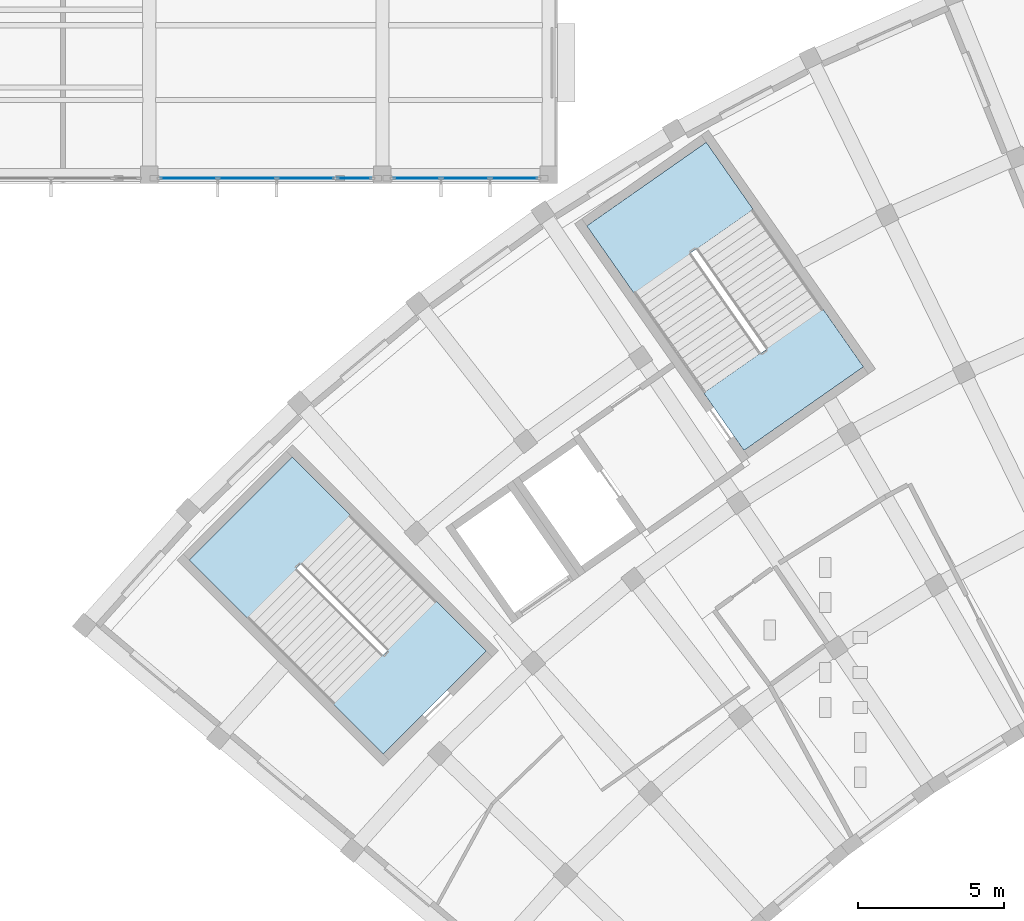
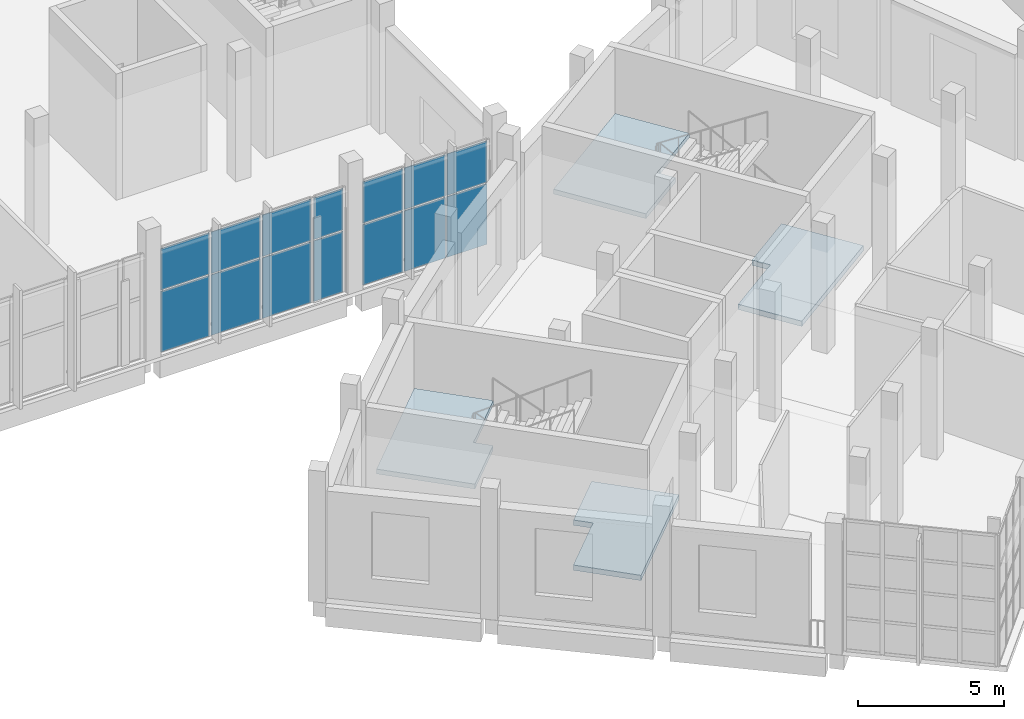
# One storey, part 61 of 132: 14 plates, 4 slabs, 5 elements without a shape of their own.
"""IFC4 building model written with IfcOpenShell, lengths in metres."""

from ifc_helpers import new_model, si_unit, direction, frame, origin, origin_2d, place, context, subcontext, project, spatial, polyline, rectangle, outline, extrude, material, layer, layer_set, type_object, element, aggregate, save


model = new_model("IFC4")

# Units and contexts
model_context = context("Model", 3, precision=1e-05, world=origin(), true_north=direction((0.0, 1.0)))
body_context = subcontext(model_context, "Body", "Model", "MODEL_VIEW")
ifc_project = project(units=[si_unit("LENGTHUNIT", "METRE"), si_unit("AREAUNIT", "SQUARE_METRE"), si_unit("VOLUMEUNIT", "CUBIC_METRE"), si_unit("PLANEANGLEUNIT", "RADIAN"), si_unit("MASSUNIT", "GRAM", prefix="KILO")], contexts=[model_context])

# Site, building, storey
site_placement = place(None, origin())
site = spatial("IfcSite", under=ifc_project, at=site_placement, CompositionType="ELEMENT")
building_placement = place(site_placement, origin())
building = spatial("IfcBuilding", under=site, at=building_placement, Name="Lunette Opera House", CompositionType="ELEMENT")
storey_placement = place(building_placement, frame((0.0, 0.0, 17.0)))
storey = spatial("IfcBuildingStorey", under=building, at=storey_placement, Name="L03", CompositionType="ELEMENT", Elevation=17.0)

# Slabs
ifc_material_1 = material(Name="Concrete C35/45", Category="concrete")
ifc_layer_1 = layer(ifc_material_1, 0.219970703125)
ifc_layer_set_1 = layer_set([ifc_layer_1], Name="Concrete C35/45")
slab_type_1 = type_object("IfcSlabType", Name="CORE LANDING SLAB 220", PredefinedType="LANDING", material=ifc_layer_set_1)
slab_1_placement = place(storey_placement, frame((0.0, 0.0, -0.219970703125)))
element("IfcSlab", 1, at=slab_1_placement, inside=storey, type_object=slab_type_1, Name="ST1 floor landing", PredefinedType="LANDING", context=body_context, shape_type="SweptSolid", body=[
    extrude(outline(polyline([(46.319091796875, 46.14501953125), (48.01611328125, 47.842041015625), (48.02294921875, 47.8349609375), (48.1650390625, 47.97705078125), (47.669921875, 48.471923828125), (49.366943359375, 50.1689453125), (51.55908203125, 47.97705078125), (48.02294921875, 44.44091796875), (46.319091796875, 46.14501953125)])), origin(), (0.0, 0.0, 1.0), 0.219970703125),
])
slab_2_placement = place(storey_placement, frame((0.0, 0.0, -0.219970703125)))
element("IfcSlab", 2, at=slab_2_placement, inside=storey, type_object=slab_type_1, Name="ST2 floor landing", PredefinedType="LANDING", context=body_context, shape_type="SweptSolid", body=[
    extrude(outline(polyline([(60.39990234375, 54.85107421875), (59.01806640625, 56.824951171875), (60.98388671875, 58.200927734375), (60.989990234375, 58.193115234375), (61.154052734375, 58.30810546875), (60.7529296875, 58.882080078125), (62.718994140625, 60.258056640625), (64.4970703125, 57.718994140625), (60.39990234375, 54.85107421875)])), origin(), (0.0, 0.0, 1.0), 0.219970703125),
])

# Curtain wall, plates
ifc_material_2 = material(Name="Aluminium", Category="aluminium")
ifc_layer_2 = layer(ifc_material_2, 0.179931640625)
ifc_layer_set_2 = layer_set([ifc_layer_2], Name="Aluminium")
curtain_wall_type = type_object("IfcCurtainWallType", Name="SUN FACE CURTAIN WALL", PredefinedType="NOTDEFINED", material=ifc_layer_set_2)
curtain_wall_1_placement = place(storey_placement, origin())
curtain_wall_1 = element("IfcCurtainWall", 3, at=curtain_wall_1_placement, inside=storey, type_object=curtain_wall_type, Name="Sun Face Curtain Wall F23-2 L03", PredefinedType="NOTDEFINED")
ifc_material_3 = material(Name="Laminated glass", Category="glass")
ifc_layer_3 = layer(ifc_material_3, 0.028076171875)
ifc_layer_set_3 = layer_set([ifc_layer_3], Name="Laminated glass")
plate_type = type_object("IfcPlateType", Name="CURTAIN PANEL LAMINATED GLASS 28", PredefinedType="CURTAIN_PANEL", material=ifc_layer_set_3)
plate_1_placement = place(storey_placement, frame((41.355712890625, 64.18310546875, 0.06005859375), z_axis=(0.0, 0.0, 1.0), x_axis=(1.0, 0.0, 0.0)))
plate_1 = element("IfcPlate", 4, at=plate_1_placement, type_object=plate_type, Name="RW-X2054 panel 1.1", PredefinedType="CURTAIN_PANEL", context=body_context, shape_type="SweptSolid", body=[
    extrude(rectangle(XDim=1.931396484375, YDim=0.028076171875, at=origin_2d()), origin(), (0.0, 0.0, 1.0), 2.534912109375),
])
plate_2_placement = place(storey_placement, frame((41.355712890625, 64.18310546875, 2.65478515625), z_axis=(0.0, 0.0, 1.0), x_axis=(1.0, 0.0, 0.0)))
plate_2 = element("IfcPlate", 5, at=plate_2_placement, type_object=plate_type, Name="RW-X2054 panel 1.2", PredefinedType="CURTAIN_PANEL", context=body_context, shape_type="SweptSolid", body=[
    extrude(rectangle(XDim=1.931396484375, YDim=0.028076171875, at=origin_2d()), origin(), (0.0, 0.0, 1.0), 1.735107421875),
])
plate_3_placement = place(storey_placement, frame((43.362060546875, 64.18310546875, 0.06005859375), z_axis=(0.0, 0.0, 1.0), x_axis=(1.0, 0.0, 0.0)))
plate_3 = element("IfcPlate", 6, at=plate_3_placement, type_object=plate_type, Name="RW-X2054 panel 2.1", PredefinedType="CURTAIN_PANEL", context=body_context, shape_type="SweptSolid", body=[
    extrude(rectangle(XDim=1.96142578125, YDim=0.028076171875, at=origin_2d()), origin(), (0.0, 0.0, 1.0), 2.534912109375),
])
plate_4_placement = place(storey_placement, frame((43.362060546875, 64.18310546875, 2.65478515625), z_axis=(0.0, 0.0, 1.0), x_axis=(1.0, 0.0, 0.0)))
plate_4 = element("IfcPlate", 7, at=plate_4_placement, type_object=plate_type, Name="RW-X2054 panel 2.2", PredefinedType="CURTAIN_PANEL", context=body_context, shape_type="SweptSolid", body=[
    extrude(rectangle(XDim=1.96142578125, YDim=0.028076171875, at=origin_2d()), origin(), (0.0, 0.0, 1.0), 1.735107421875),
])
plate_5_placement = place(storey_placement, frame((45.368408203125, 64.18310546875, 0.06005859375), z_axis=(0.0, 0.0, 1.0), x_axis=(1.0, 0.0, 0.0)))
plate_5 = element("IfcPlate", 8, at=plate_5_placement, type_object=plate_type, Name="RW-X2054 panel 3.1", PredefinedType="CURTAIN_PANEL", context=body_context, shape_type="SweptSolid", body=[
    extrude(rectangle(XDim=1.931396484375, YDim=0.028076171875, at=origin_2d()), origin(), (0.0, 0.0, 1.0), 2.534912109375),
])
plate_6_placement = place(storey_placement, frame((45.368408203125, 64.18310546875, 2.65478515625), z_axis=(0.0, 0.0, 1.0), x_axis=(1.0, 0.0, 0.0)))
plate_6 = element("IfcPlate", 9, at=plate_6_placement, type_object=plate_type, Name="RW-X2054 panel 3.2", PredefinedType="CURTAIN_PANEL", context=body_context, shape_type="SweptSolid", body=[
    extrude(rectangle(XDim=1.931396484375, YDim=0.028076171875, at=origin_2d()), origin(), (0.0, 0.0, 1.0), 1.735107421875),
])
aggregate(curtain_wall_1, [plate_1, plate_2, plate_3, plate_4, plate_5, plate_6])

curtain_wall_2_placement = place(storey_placement, origin())
curtain_wall_2 = element("IfcCurtainWall", 10, at=curtain_wall_2_placement, inside=storey, type_object=curtain_wall_type, Name="Sun Face Curtain Wall F24-1 L03", PredefinedType="NOTDEFINED")
plate_7_placement = place(storey_placement, frame((47.031982421875, 64.18310546875, 0.06005859375), z_axis=(0.0, 0.0, 1.0), x_axis=(1.0, 0.0, 0.0)))
plate_7 = element("IfcPlate", 11, at=plate_7_placement, type_object=plate_type, Name="RW-X2055 panel 1.1", PredefinedType="CURTAIN_PANEL", context=body_context, shape_type="SweptSolid", body=[
    extrude(rectangle(XDim=1.156005859375, YDim=0.028076171875, at=origin_2d()), origin(), (0.0, 0.0, 1.0), 2.534912109375),
])
plate_8_placement = place(storey_placement, frame((47.031982421875, 64.18310546875, 2.65478515625), z_axis=(0.0, 0.0, 1.0), x_axis=(1.0, 0.0, 0.0)))
plate_8 = element("IfcPlate", 12, at=plate_8_placement, type_object=plate_type, Name="RW-X2055 panel 1.2", PredefinedType="CURTAIN_PANEL", context=body_context, shape_type="SweptSolid", body=[
    extrude(rectangle(XDim=1.156005859375, YDim=0.028076171875, at=origin_2d()), origin(), (0.0, 0.0, 1.0), 1.735107421875),
])
aggregate(curtain_wall_2, [plate_7, plate_8])

curtain_wall_3_placement = place(storey_placement, origin())
curtain_wall_3 = element("IfcCurtainWall", 13, at=curtain_wall_3_placement, inside=storey, type_object=curtain_wall_type, Name="Sun Face Curtain Wall F24-2 L03", PredefinedType="NOTDEFINED")
plate_9_placement = place(storey_placement, frame((49.18505859375, 64.18310546875, 0.06005859375), z_axis=(0.0, 0.0, 1.0), x_axis=(1.0, 0.0, 0.0)))
plate_9 = element("IfcPlate", 14, at=plate_9_placement, type_object=plate_type, Name="RW-X2056 panel 1.1", PredefinedType="CURTAIN_PANEL", context=body_context, shape_type="SweptSolid", body=[
    extrude(rectangle(XDim=1.590087890625, YDim=0.028076171875, at=origin_2d()), origin(), (0.0, 0.0, 1.0), 2.534912109375),
])
plate_10_placement = place(storey_placement, frame((49.18505859375, 64.18310546875, 2.65478515625), z_axis=(0.0, 0.0, 1.0), x_axis=(1.0, 0.0, 0.0)))
plate_10 = element("IfcPlate", 15, at=plate_10_placement, type_object=plate_type, Name="RW-X2056 panel 1.2", PredefinedType="CURTAIN_PANEL", context=body_context, shape_type="SweptSolid", body=[
    extrude(rectangle(XDim=1.590087890625, YDim=0.028076171875, at=origin_2d()), origin(), (0.0, 0.0, 1.0), 1.735107421875),
])
plate_11_placement = place(storey_placement, frame((50.85009765625, 64.18310546875, 0.06005859375), z_axis=(0.0, 0.0, 1.0), x_axis=(1.0, 0.0, 0.0)))
plate_11 = element("IfcPlate", 16, at=plate_11_placement, type_object=plate_type, Name="RW-X2056 panel 2.1", PredefinedType="CURTAIN_PANEL", context=body_context, shape_type="SweptSolid", body=[
    extrude(rectangle(XDim=1.6201171875, YDim=0.028076171875, at=origin_2d()), origin(), (0.0, 0.0, 1.0), 2.534912109375),
])
plate_12_placement = place(storey_placement, frame((50.85009765625, 64.18310546875, 2.65478515625), z_axis=(0.0, 0.0, 1.0), x_axis=(1.0, 0.0, 0.0)))
plate_12 = element("IfcPlate", 17, at=plate_12_placement, type_object=plate_type, Name="RW-X2056 panel 2.2", PredefinedType="CURTAIN_PANEL", context=body_context, shape_type="SweptSolid", body=[
    extrude(rectangle(XDim=1.6201171875, YDim=0.028076171875, at=origin_2d()), origin(), (0.0, 0.0, 1.0), 1.735107421875),
])
plate_13_placement = place(storey_placement, frame((52.514892578125, 64.18310546875, 0.06005859375), z_axis=(0.0, 0.0, 1.0), x_axis=(1.0, 0.0, 0.0)))
plate_13 = element("IfcPlate", 18, at=plate_13_placement, type_object=plate_type, Name="RW-X2056 panel 3.1", PredefinedType="CURTAIN_PANEL", context=body_context, shape_type="SweptSolid", body=[
    extrude(rectangle(XDim=1.590087890625, YDim=0.028076171875, at=origin_2d()), origin(), (0.0, 0.0, 1.0), 2.534912109375),
])
plate_14_placement = place(storey_placement, frame((52.514892578125, 64.18310546875, 2.65478515625), z_axis=(0.0, 0.0, 1.0), x_axis=(1.0, 0.0, 0.0)))
plate_14 = element("IfcPlate", 19, at=plate_14_placement, type_object=plate_type, Name="RW-X2056 panel 3.2", PredefinedType="CURTAIN_PANEL", context=body_context, shape_type="SweptSolid", body=[
    extrude(rectangle(XDim=1.590087890625, YDim=0.028076171875, at=origin_2d()), origin(), (0.0, 0.0, 1.0), 1.735107421875),
])
aggregate(curtain_wall_3, [plate_9, plate_10, plate_11, plate_12, plate_13, plate_14])

# Stair, slab
ifc_material_4 = material(Name="Concrete C35/45", Category="concrete")
stair_type = type_object("IfcStairType", Name="DOGLEG STAIR 2400", PredefinedType="HALF_TURN_STAIR", material=ifc_material_4)
stair_1_placement = place(storey_placement, origin())
stair_1 = element("IfcStair", 20, at=stair_1_placement, inside=storey, type_object=stair_type, Name="L03 stair ST1", PredefinedType="HALF_TURN_STAIR")
ifc_material_5 = material(Name="Concrete C35/45", Category="concrete")
ifc_layer_4 = layer(ifc_material_5, 0.199951171875)
ifc_layer_set_4 = layer_set([ifc_layer_4], Name="Concrete C35/45")
slab_type_2 = type_object("IfcSlabType", Name="STAIR LANDING SLAB 200", PredefinedType="LANDING", material=ifc_layer_set_4)
slab_3_placement = place(storey_placement, frame((0.0, 0.0, 2.550048828125)))
slab_3 = element("IfcSlab", 21, at=slab_3_placement, type_object=slab_type_2, Name="ST1 landing 1", PredefinedType="LANDING", context=body_context, shape_type="SweptSolid", body=[
    extrude(outline(polyline([(41.3759765625, 51.087890625), (44.912109375, 54.6240234375), (46.89892578125, 52.636962890625), (45.201904296875, 50.93994140625), (45.195068359375, 50.947021484375), (45.052978515625, 50.804931640625), (45.548095703125, 50.31005859375), (43.85107421875, 48.613037109375), (41.3759765625, 51.087890625)])), origin(), (0.0, 0.0, 1.0), 0.199951171875),
])
aggregate(stair_1, [slab_3])

stair_2_placement = place(storey_placement, origin())
stair_2 = element("IfcStair", 22, at=stair_2_placement, inside=storey, type_object=stair_type, Name="L03 stair ST2", PredefinedType="HALF_TURN_STAIR")
slab_4_placement = place(storey_placement, frame((0.0, 0.0, 2.550048828125)))
slab_4 = element("IfcSlab", 23, at=slab_4_placement, type_object=slab_type_2, Name="ST2 landing 1", PredefinedType="LANDING", context=body_context, shape_type="SweptSolid", body=[
    extrude(outline(polyline([(59.10498046875, 65.4189453125), (60.717041015625, 63.116943359375), (58.7509765625, 61.740966796875), (58.7451171875, 61.7490234375), (58.5810546875, 61.634033203125), (58.98193359375, 61.06005859375), (57.01611328125, 59.68408203125), (55.009033203125, 62.552001953125), (59.10498046875, 65.4189453125)])), origin(), (0.0, 0.0, 1.0), 0.199951171875),
])
aggregate(stair_2, [slab_4])

save(model, "model.ifc")
